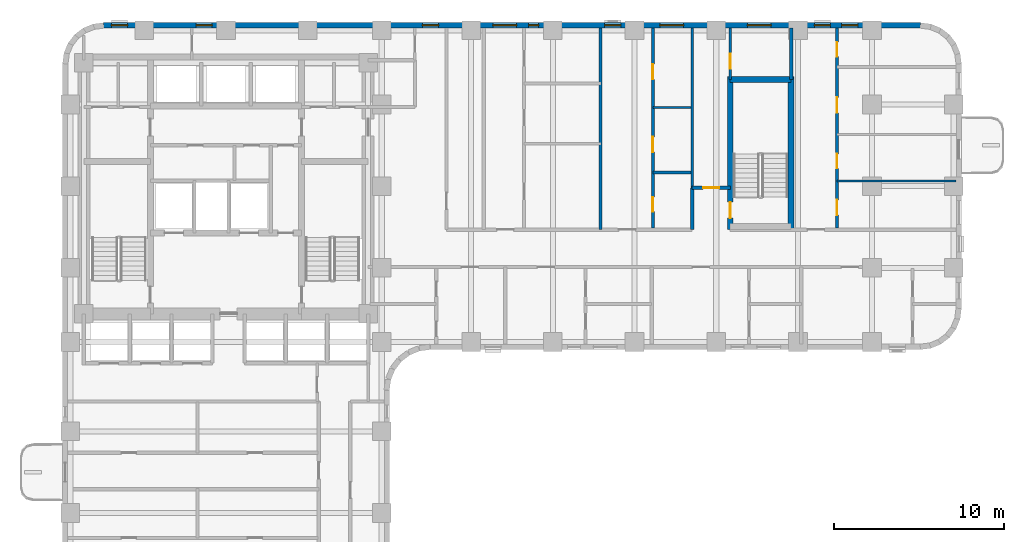
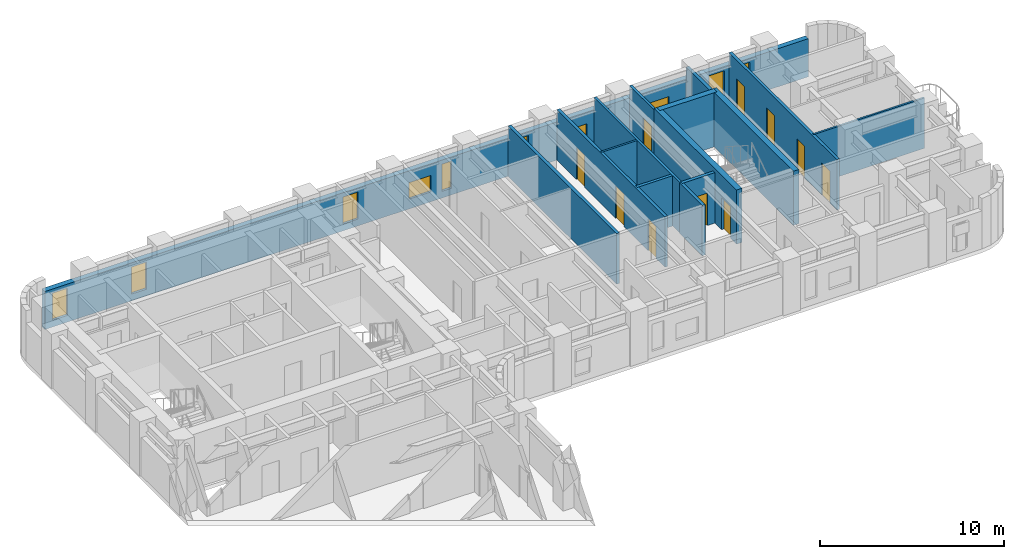
# One storey, part 7 of 11: 15 walls, 10 doors, 10 windows, 20 openings.
"""IFC4 building model written with IfcOpenShell, lengths in metres."""

from ifc_helpers import new_model, si_unit, direction, frame, frame_2d, origin, place, context, subcontext, project, spatial, rectangle, extrude, material, layer, layer_set, type_object, element, fill, save


model = new_model("IFC4")

# Units and contexts
model_context = context("Model", 3, precision=1e-05, world=origin(), true_north=direction((0.0, 1.0)))
body_context = subcontext(model_context, "Body", "Model", "MODEL_VIEW")
ifc_project = project(units=[si_unit("LENGTHUNIT", "METRE"), si_unit("AREAUNIT", "SQUARE_METRE"), si_unit("VOLUMEUNIT", "CUBIC_METRE"), si_unit("PLANEANGLEUNIT", "RADIAN"), si_unit("MASSUNIT", "GRAM", prefix="KILO")], contexts=[model_context])

# Site, building, storey
site_placement = place(None, origin())
site = spatial("IfcSite", under=ifc_project, at=site_placement, CompositionType="ELEMENT")
building_placement = place(site_placement, origin())
building = spatial("IfcBuilding", under=site, at=building_placement, Name="Orvandelia Arch Residences", CompositionType="ELEMENT")
storey_placement = place(building_placement, frame((0.0, 0.0, 86.199951171875)))
storey = spatial("IfcBuildingStorey", under=building, at=storey_placement, Name="L22", CompositionType="ELEMENT", Elevation=86.199951171875)

# Wall, opening, door
ifc_material_1 = material(Name="Concrete C50/60", Category="concrete")
ifc_layer_1 = layer(ifc_material_1, 0.35009765625, Name="Concrete C50/60", Category="concrete")
ifc_layer_set_1 = layer_set([ifc_layer_1], Name="Concrete C50/60")
wall_type_1 = type_object("IfcWallType", Name="WL-CORE-350", PredefinedType="SHEAR", material=ifc_layer_set_1)
wall_1_placement = place(storey_placement, frame((44.02001953125, 35.864990234375, 0.0), z_axis=(0.0, 0.0, 1.0), x_axis=(0.0, 1.0, 0.0)))
wall_1 = element("IfcWall", 1, at=wall_1_placement, inside=storey, type_object=wall_type_1, Name="East Stair Core Shear Wall L22-W", PredefinedType="SHEAR", context=body_context, shape_type="SweptSolid", body=[
    extrude(rectangle(XDim=8.969970703125, YDim=0.35009765625, at=frame_2d((4.48486328125, 0.0))), origin(), (0.0, 0.0, 1.0), 3.60009765625),
])
opening_1_placement = place(wall_1_placement, frame((0.64990234375, 0.0, 0.0)))
opening_1 = element("IfcOpeningElement", 2, at=opening_1_placement, cuts=wall_1, Name="Opening D7", PredefinedType="OPENING", context=body_context, shape_type="SweptSolid", body=[
    extrude(rectangle(XDim=0.949951171875, YDim=2.10009765625, at=frame_2d((0.47509765625, 1.050048828125))), frame((0.0, 0.18505859375, 0.0), z_axis=(0.0, -1.0, 0.0), x_axis=(1.0, 0.0, 0.0)), (0.0, 0.0, 1.0), 0.3701171875),
])
ifc_material_2 = material(Name="Pressurised Stairwell Fire Door")
door_type_1 = type_object("IfcDoorType", Name="DR-STAIR-950", OperationType="NOTDEFINED", PredefinedType="DOOR", material=ifc_material_2)
door_1_placement = place(opening_1_placement, origin())
door_1 = element("IfcDoor", 3, at=door_1_placement, inside=storey, type_object=door_type_1, Name="East Stairwell ST-3 Fire Door L22", OperationType="SINGLE_SWING_LEFT", OverallHeight=2.10009765625, OverallWidth=0.949951171875, PredefinedType="DOOR", context=body_context, shape_type="SweptSolid", body=[
    extrude(rectangle(XDim=0.949951171875, YDim=2.10009765625, at=frame_2d((0.47509765625, 1.050048828125))), frame((0.0, 0.02490234375, 0.0), z_axis=(0.0, -1.0, 0.0), x_axis=(1.0, 0.0, 0.0)), (0.0, 0.0, 1.0), 0.050048828125),
])
fill(opening_1, door_1)

# Walls
wall_2_placement = place(storey_placement, frame((47.60009765625, 35.864990234375, 0.0), z_axis=(0.0, 0.0, 1.0), x_axis=(0.0, 1.0, 0.0)))
element("IfcWall", 4, at=wall_2_placement, inside=storey, type_object=wall_type_1, Name="East Stair Core Shear Wall L22-E", PredefinedType="SHEAR", context=body_context, shape_type="SweptSolid", body=[
    extrude(rectangle(XDim=8.969970703125, YDim=0.35009765625, at=frame_2d((4.48486328125, 0.0))), origin(), (0.0, 0.0, 1.0), 3.60009765625),
])
wall_3_placement = place(storey_placement, frame((44.02001953125, 44.659912109375, 0.0), z_axis=(0.0, 0.0, 1.0), x_axis=(1.0, 0.0, 0.0)))
element("IfcWall", 5, at=wall_3_placement, inside=storey, type_object=wall_type_1, Name="East Stair Core Shear Wall L22-N", PredefinedType="SHEAR", context=body_context, shape_type="SweptSolid", body=[
    extrude(rectangle(XDim=3.580078125, YDim=0.35009765625, at=frame_2d((1.7900390625, 0.0))), origin(), (0.0, 0.0, 1.0), 3.60009765625),
])
ifc_material_3 = material(Name="Fire-Rated Corridor Partition")
ifc_layer_2 = layer(ifc_material_3, 0.199951171875, Name="Fire-Rated Corridor Partition")
ifc_layer_set_2 = layer_set([ifc_layer_2], Name="Fire-Rated Corridor Partition")
wall_type_2 = type_object("IfcWallType", Name="WL-CORR-200", PredefinedType="PARTITIONING", material=ifc_layer_set_2)
wall_4_placement = place(storey_placement, frame((41.780029296875, 35.85009765625, 0.0), z_axis=(0.0, 0.0, 1.0), x_axis=(0.0, 1.0, 0.0)))
element("IfcWall", 6, at=wall_4_placement, inside=storey, type_object=wall_type_2, Name="Interior Partition Wall WL-L22-ES-SW", PredefinedType="PARTITIONING", context=body_context, shape_type="SweptSolid", body=[
    extrude(rectangle(XDim=2.449951171875, YDim=0.199951171875, at=frame_2d((1.22509765625, 0.0))), origin(), (0.0, 0.0, 1.0), 3.35009765625),
])

# Wall, opening, door
wall_5_placement = place(storey_placement, frame((41.780029296875, 38.300048828125, 0.0), z_axis=(0.0, 0.0, 1.0), x_axis=(1.0, 0.0, 0.0)))
wall_5 = element("IfcWall", 7, at=wall_5_placement, inside=storey, type_object=wall_type_2, Name="Interior Partition Wall WL-L22-ES-SN", PredefinedType="PARTITIONING", context=body_context, shape_type="SweptSolid", body=[
    extrude(rectangle(XDim=2.239990234375, YDim=0.199951171875, at=frame_2d((1.1201171875, 0.0))), origin(), (0.0, 0.0, 1.0), 3.35009765625),
])
opening_2_placement = place(wall_5_placement, frame((0.64990234375, 0.0, 0.0)))
opening_2 = element("IfcOpeningElement", 8, at=opening_2_placement, cuts=wall_5, Name="Opening D2", PredefinedType="OPENING", context=body_context, shape_type="SweptSolid", body=[
    extrude(rectangle(XDim=0.949951171875, YDim=2.14990234375, at=frame_2d((0.47509765625, 1.074951171875))), frame((0.0, 0.10986328125, 0.0), z_axis=(0.0, -1.0, 0.0), x_axis=(1.0, 0.0, 0.0)), (0.0, 0.0, 1.0), 0.219970703125),
])
ifc_material_4 = material(Name="Solid-Core Timber Interior Fire Door", Category="wood")
door_type_2 = type_object("IfcDoorType", Name="DR-APT-950", OperationType="NOTDEFINED", PredefinedType="DOOR", material=ifc_material_4)
door_2_placement = place(opening_2_placement, origin())
door_2 = element("IfcDoor", 9, at=door_2_placement, inside=storey, type_object=door_type_2, Name="DR-L22-ESSPK", OperationType="SINGLE_SWING_LEFT", OverallHeight=2.14990234375, OverallWidth=0.949951171875, PredefinedType="DOOR", context=body_context, shape_type="SweptSolid", body=[
    extrude(rectangle(XDim=0.949951171875, YDim=2.14990234375, at=frame_2d((0.47509765625, 1.074951171875))), frame((0.0, 0.02490234375, 0.0), z_axis=(0.0, -1.0, 0.0), x_axis=(1.0, 0.0, 0.0)), (0.0, 0.0, 1.0), 0.050048828125),
])
fill(opening_2, door_2)

# Walls
ifc_material_5 = material(Name="Concrete C40/50", Category="concrete")
ifc_layer_3 = layer(ifc_material_5, 0.199951171875, Name="Concrete C40/50", Category="concrete")
ifc_layer_set_3 = layer_set([ifc_layer_3], Name="Concrete C40/50")
wall_type_3 = type_object("IfcWallType", Name="WL-DEM-200", PredefinedType="SOLIDWALL", material=ifc_layer_set_3)
wall_6_placement = place(storey_placement, frame((36.39990234375, 35.85009765625, 0.0), z_axis=(0.0, 0.0, 1.0), x_axis=(0.0, 1.0, 0.0)))
element("IfcWall", 10, at=wall_6_placement, inside=storey, type_object=wall_type_3, Name="Interior Partition Wall WL-L22-DEM-ESN-364", PredefinedType="SOLIDWALL", context=body_context, shape_type="SweptSolid", body=[
    extrude(rectangle(XDim=11.829833984375, YDim=0.199951171875, at=frame_2d((5.9150390625, 0.0))), origin(), (0.0, 0.0, 1.0), 3.35009765625),
])
wall_7_placement = place(storey_placement, frame((47.60009765625, 44.659912109375, 0.0), z_axis=(0.0, 0.0, 1.0), x_axis=(0.0, 1.0, 0.0)))
element("IfcWall", 11, at=wall_7_placement, inside=storey, type_object=wall_type_3, Name="Interior Partition Wall WL-L22-ES-NST3E", PredefinedType="SOLIDWALL", context=body_context, shape_type="SweptSolid", body=[
    extrude(rectangle(XDim=3.02001953125, YDim=0.199951171875, at=frame_2d((1.510009765625, 0.0))), origin(), (0.0, 0.0, 1.0), 3.35009765625),
])

# Wall, openings, windows
ifc_material_6 = material(Name="Precast concrete C40/50", Category="concrete")
ifc_layer_4 = layer(ifc_material_6, 0.320068359375, Name="Precast concrete C40/50", Category="concrete")
ifc_layer_set_4 = layer_set([ifc_layer_4], Name="Precast concrete C40/50")
wall_type_4 = type_object("IfcWallType", Name="WL-EXT-STONE-320", PredefinedType="STANDARD", material=ifc_layer_set_4)
wall_8_placement = place(storey_placement, frame((7.199951171875, 47.840087890625, 0.0), z_axis=(0.0, 0.0, 1.0), x_axis=(1.0, 0.0, 0.0)))
wall_8 = element("IfcWall", 12, at=wall_8_placement, inside=storey, type_object=wall_type_4, Name="Coral-Limestone Precast Facade Wall L22-007", PredefinedType="STANDARD", context=body_context, shape_type="SweptSolid", body=[
    extrude(rectangle(XDim=48.0, YDim=0.320068359375, at=frame_2d((24.0, 0.0))), origin(), (0.0, 0.0, 1.0), 2.530029296875),
])
opening_3_placement = place(wall_8_placement, frame((22.8701171875, 0.0, 0.64990234375)))
opening_3 = element("IfcOpeningElement", 13, at=opening_3_placement, cuts=wall_8, Name="Opening W10", PredefinedType="OPENING", context=body_context, shape_type="SweptSolid", body=[
    extrude(rectangle(XDim=1.39990234375, YDim=1.10009765625, at=frame_2d((0.699951171875, 0.550048828125))), frame((0.0, 0.169921875, 0.0), z_axis=(0.0, -1.0, 0.0), x_axis=(1.0, 0.0, 0.0)), (0.0, 0.0, 1.0), 0.340087890625),
])
opening_4_placement = place(wall_8_placement, frame((32.68505859375, 0.0, 0.64990234375)))
opening_4 = element("IfcOpeningElement", 14, at=opening_4_placement, cuts=wall_8, Name="Opening W10", PredefinedType="OPENING", context=body_context, shape_type="SweptSolid", body=[
    extrude(rectangle(XDim=1.39990234375, YDim=1.10009765625, at=frame_2d((0.699951171875, 0.550048828125))), frame((0.0, 0.169921875, 0.0), z_axis=(0.0, -1.0, 0.0), x_axis=(1.0, 0.0, 0.0)), (0.0, 0.0, 1.0), 0.340087890625),
])
opening_5_placement = place(wall_8_placement, frame((41.755615234375, 0.0, 0.449951171875)))
opening_5 = element("IfcOpeningElement", 15, at=opening_5_placement, cuts=wall_8, Name="Opening W4", PredefinedType="OPENING", context=body_context, shape_type="SweptSolid", body=[
    extrude(rectangle(XDim=0.949951171875, YDim=1.800048828125, at=frame_2d((0.47509765625, 0.89990234375))), frame((0.0, 0.169921875, 0.0), z_axis=(0.0, -1.0, 0.0), x_axis=(1.0, 0.0, 0.0)), (0.0, 0.0, 1.0), 0.340087890625),
])
opening_6_placement = place(wall_8_placement, frame((18.739990234375, 0.0, 0.449951171875)))
opening_6 = element("IfcOpeningElement", 16, at=opening_6_placement, cuts=wall_8, Name="Opening W4", PredefinedType="OPENING", context=body_context, shape_type="SweptSolid", body=[
    extrude(rectangle(XDim=0.949951171875, YDim=1.800048828125, at=frame_2d((0.47509765625, 0.89990234375))), frame((0.0, 0.169921875, 0.0), z_axis=(0.0, -1.0, 0.0), x_axis=(1.0, 0.0, 0.0)), (0.0, 0.0, 1.0), 0.340087890625),
])
opening_7_placement = place(wall_8_placement, frame((37.824951171875, 0.0, 0.64990234375)))
opening_7 = element("IfcOpeningElement", 17, at=opening_7_placement, cuts=wall_8, Name="Opening W10", PredefinedType="OPENING", context=body_context, shape_type="SweptSolid", body=[
    extrude(rectangle(XDim=1.39990234375, YDim=1.10009765625, at=frame_2d((0.699951171875, 0.550048828125))), frame((0.0, 0.169921875, 0.0), z_axis=(0.0, -1.0, 0.0), x_axis=(1.0, 0.0, 0.0)), (0.0, 0.0, 1.0), 0.340087890625),
])
opening_8_placement = place(wall_8_placement, frame((0.469970703125, 0.0, 0.449951171875)))
opening_8 = element("IfcOpeningElement", 18, at=opening_8_placement, cuts=wall_8, Name="Opening W4", PredefinedType="OPENING", context=body_context, shape_type="SweptSolid", body=[
    extrude(rectangle(XDim=0.949951171875, YDim=1.800048828125, at=frame_2d((0.47509765625, 0.89990234375))), frame((0.0, 0.169921875, 0.0), z_axis=(0.0, -1.0, 0.0), x_axis=(1.0, 0.0, 0.0)), (0.0, 0.0, 1.0), 0.340087890625),
])
opening_9_placement = place(wall_8_placement, frame((5.43994140625, 0.0, 0.449951171875)))
opening_9 = element("IfcOpeningElement", 19, at=opening_9_placement, cuts=wall_8, Name="Opening W4", PredefinedType="OPENING", context=body_context, shape_type="SweptSolid", body=[
    extrude(rectangle(XDim=0.949951171875, YDim=1.800048828125, at=frame_2d((0.47509765625, 0.89990234375))), frame((0.0, 0.169921875, 0.0), z_axis=(0.0, -1.0, 0.0), x_axis=(1.0, 0.0, 0.0)), (0.0, 0.0, 1.0), 0.340087890625),
])
opening_10_placement = place(wall_8_placement, frame((24.969970703125, 0.0, 0.449951171875)))
opening_10 = element("IfcOpeningElement", 20, at=opening_10_placement, cuts=wall_8, Name="Opening W12", PredefinedType="OPENING", context=body_context, shape_type="SweptSolid", body=[
    extrude(rectangle(XDim=0.60009765625, YDim=1.800048828125, at=frame_2d((0.300048828125, 0.89990234375))), frame((0.0, 0.169921875, 0.0), z_axis=(0.0, -1.0, 0.0), x_axis=(1.0, 0.0, 0.0)), (0.0, 0.0, 1.0), 0.340087890625),
])
opening_11_placement = place(wall_8_placement, frame((29.43994140625, 0.0, 0.449951171875)))
opening_11 = element("IfcOpeningElement", 21, at=opening_11_placement, cuts=wall_8, Name="Opening W4", PredefinedType="OPENING", context=body_context, shape_type="SweptSolid", body=[
    extrude(rectangle(XDim=0.949951171875, YDim=1.800048828125, at=frame_2d((0.47509765625, 0.89990234375))), frame((0.0, 0.169921875, 0.0), z_axis=(0.0, -1.0, 0.0), x_axis=(1.0, 0.0, 0.0)), (0.0, 0.0, 1.0), 0.340087890625),
])
opening_12_placement = place(wall_8_placement, frame((43.360595703125, 0.0, 0.449951171875)))
opening_12 = element("IfcOpeningElement", 22, at=opening_12_placement, cuts=wall_8, Name="Opening W4", PredefinedType="OPENING", context=body_context, shape_type="SweptSolid", body=[
    extrude(rectangle(XDim=0.949951171875, YDim=1.800048828125, at=frame_2d((0.47509765625, 0.89990234375))), frame((0.0, 0.169921875, 0.0), z_axis=(0.0, -1.0, 0.0), x_axis=(1.0, 0.0, 0.0)), (0.0, 0.0, 1.0), 0.340087890625),
])
ifc_material_7 = material(Name="Tempered Low-E Insulated Glazing", Category="glass")
window_type_1 = type_object("IfcWindowType", Name="WIN-CLR-1400x1100", PartitioningType="SINGLE_PANEL", PredefinedType="WINDOW", material=ifc_material_7)
window_1_placement = place(opening_3_placement, origin())
window_1 = element("IfcWindow", 23, at=window_1_placement, inside=storey, type_object=window_type_1, Name="Recessed Punched Window L22-001", OverallHeight=1.10009765625, OverallWidth=1.39990234375, PartitioningType="SINGLE_PANEL", PredefinedType="WINDOW", context=body_context, shape_type="SweptSolid", body=[
    extrude(rectangle(XDim=1.39990234375, YDim=1.10009765625, at=frame_2d((0.699951171875, 0.550048828125))), frame((0.0, 0.030029296875, 0.0), z_axis=(0.0, -1.0, 0.0), x_axis=(1.0, 0.0, 0.0)), (0.0, 0.0, 1.0), 0.06005859375),
])
fill(opening_3, window_1)
window_2_placement = place(opening_4_placement, origin())
window_2 = element("IfcWindow", 24, at=window_2_placement, inside=storey, type_object=window_type_1, Name="Recessed Punched Window L22-002", OverallHeight=1.10009765625, OverallWidth=1.39990234375, PartitioningType="SINGLE_PANEL", PredefinedType="WINDOW", context=body_context, shape_type="SweptSolid", body=[
    extrude(rectangle(XDim=1.39990234375, YDim=1.10009765625, at=frame_2d((0.699951171875, 0.550048828125))), frame((0.0, 0.030029296875, 0.0), z_axis=(0.0, -1.0, 0.0), x_axis=(1.0, 0.0, 0.0)), (0.0, 0.0, 1.0), 0.06005859375),
])
fill(opening_4, window_2)
window_3_placement = place(opening_7_placement, origin())
window_3 = element("IfcWindow", 25, at=window_3_placement, inside=storey, type_object=window_type_1, Name="Recessed Punched Window L22-005", OverallHeight=1.10009765625, OverallWidth=1.39990234375, PartitioningType="SINGLE_PANEL", PredefinedType="WINDOW", context=body_context, shape_type="SweptSolid", body=[
    extrude(rectangle(XDim=1.39990234375, YDim=1.10009765625, at=frame_2d((0.699951171875, 0.550048828125))), frame((0.0, 0.030029296875, 0.0), z_axis=(0.0, -1.0, 0.0), x_axis=(1.0, 0.0, 0.0)), (0.0, 0.0, 1.0), 0.06005859375),
])
fill(opening_7, window_3)
window_type_2 = type_object("IfcWindowType", Name="WIN-LAN-0600x1800", PartitioningType="SINGLE_PANEL", PredefinedType="WINDOW", material=ifc_material_7)
window_4_placement = place(opening_10_placement, origin())
window_4 = element("IfcWindow", 26, at=window_4_placement, inside=storey, type_object=window_type_2, Name="Recessed Punched Window L22-008", OverallHeight=1.800048828125, OverallWidth=0.60009765625, PartitioningType="SINGLE_PANEL", PredefinedType="WINDOW", context=body_context, shape_type="SweptSolid", body=[
    extrude(rectangle(XDim=0.60009765625, YDim=1.800048828125, at=frame_2d((0.300048828125, 0.89990234375))), frame((0.0, 0.030029296875, 0.0), z_axis=(0.0, -1.0, 0.0), x_axis=(1.0, 0.0, 0.0)), (0.0, 0.0, 1.0), 0.06005859375),
])
fill(opening_10, window_4)
window_type_3 = type_object("IfcWindowType", Name="WIN-RES-0950x1800", PartitioningType="SINGLE_PANEL", PredefinedType="WINDOW", material=ifc_material_7)
window_5_placement = place(opening_5_placement, origin())
window_5 = element("IfcWindow", 27, at=window_5_placement, inside=storey, type_object=window_type_3, Name="Recessed Punched Window L22-003", OverallHeight=1.800048828125, OverallWidth=0.949951171875, PartitioningType="SINGLE_PANEL", PredefinedType="WINDOW", context=body_context, shape_type="SweptSolid", body=[
    extrude(rectangle(XDim=0.949951171875, YDim=1.800048828125, at=frame_2d((0.47509765625, 0.89990234375))), frame((0.0, 0.030029296875, 0.0), z_axis=(0.0, -1.0, 0.0), x_axis=(1.0, 0.0, 0.0)), (0.0, 0.0, 1.0), 0.06005859375),
])
fill(opening_5, window_5)
window_6_placement = place(opening_6_placement, origin())
window_6 = element("IfcWindow", 28, at=window_6_placement, inside=storey, type_object=window_type_3, Name="Recessed Punched Window L22-004", OverallHeight=1.800048828125, OverallWidth=0.949951171875, PartitioningType="SINGLE_PANEL", PredefinedType="WINDOW", context=body_context, shape_type="SweptSolid", body=[
    extrude(rectangle(XDim=0.949951171875, YDim=1.800048828125, at=frame_2d((0.47509765625, 0.89990234375))), frame((0.0, 0.030029296875, 0.0), z_axis=(0.0, -1.0, 0.0), x_axis=(1.0, 0.0, 0.0)), (0.0, 0.0, 1.0), 0.06005859375),
])
fill(opening_6, window_6)
window_7_placement = place(opening_8_placement, origin())
window_7 = element("IfcWindow", 29, at=window_7_placement, inside=storey, type_object=window_type_3, Name="Recessed Punched Window L22-006", OverallHeight=1.800048828125, OverallWidth=0.949951171875, PartitioningType="SINGLE_PANEL", PredefinedType="WINDOW", context=body_context, shape_type="SweptSolid", body=[
    extrude(rectangle(XDim=0.949951171875, YDim=1.800048828125, at=frame_2d((0.47509765625, 0.89990234375))), frame((0.0, 0.030029296875, 0.0), z_axis=(0.0, -1.0, 0.0), x_axis=(1.0, 0.0, 0.0)), (0.0, 0.0, 1.0), 0.06005859375),
])
fill(opening_8, window_7)
window_8_placement = place(opening_9_placement, origin())
window_8 = element("IfcWindow", 30, at=window_8_placement, inside=storey, type_object=window_type_3, Name="Recessed Punched Window L22-007", OverallHeight=1.800048828125, OverallWidth=0.949951171875, PartitioningType="SINGLE_PANEL", PredefinedType="WINDOW", context=body_context, shape_type="SweptSolid", body=[
    extrude(rectangle(XDim=0.949951171875, YDim=1.800048828125, at=frame_2d((0.47509765625, 0.89990234375))), frame((0.0, 0.030029296875, 0.0), z_axis=(0.0, -1.0, 0.0), x_axis=(1.0, 0.0, 0.0)), (0.0, 0.0, 1.0), 0.06005859375),
])
fill(opening_9, window_8)
window_9_placement = place(opening_11_placement, origin())
window_9 = element("IfcWindow", 31, at=window_9_placement, inside=storey, type_object=window_type_3, Name="Recessed Punched Window L22-009", OverallHeight=1.800048828125, OverallWidth=0.949951171875, PartitioningType="SINGLE_PANEL", PredefinedType="WINDOW", context=body_context, shape_type="SweptSolid", body=[
    extrude(rectangle(XDim=0.949951171875, YDim=1.800048828125, at=frame_2d((0.47509765625, 0.89990234375))), frame((0.0, 0.030029296875, 0.0), z_axis=(0.0, -1.0, 0.0), x_axis=(1.0, 0.0, 0.0)), (0.0, 0.0, 1.0), 0.06005859375),
])
fill(opening_11, window_9)
window_10_placement = place(opening_12_placement, origin())
window_10 = element("IfcWindow", 32, at=window_10_placement, inside=storey, type_object=window_type_3, Name="Recessed Punched Window L22-010", OverallHeight=1.800048828125, OverallWidth=0.949951171875, PartitioningType="SINGLE_PANEL", PredefinedType="WINDOW", context=body_context, shape_type="SweptSolid", body=[
    extrude(rectangle(XDim=0.949951171875, YDim=1.800048828125, at=frame_2d((0.47509765625, 0.89990234375))), frame((0.0, 0.030029296875, 0.0), z_axis=(0.0, -1.0, 0.0), x_axis=(1.0, 0.0, 0.0)), (0.0, 0.0, 1.0), 0.06005859375),
])
fill(opening_12, window_10)

# Walls
ifc_material_8 = material(Name="Lightweight Gypsum Stud Partition")
ifc_layer_5 = layer(ifc_material_8, 0.1201171875, Name="Lightweight Gypsum Stud Partition")
ifc_layer_set_5 = layer_set([ifc_layer_5], Name="Lightweight Gypsum Stud Partition")
wall_type_5 = type_object("IfcWallType", Name="WL-PART-120", PredefinedType="PARTITIONING", material=ifc_layer_set_5)
wall_9_placement = place(storey_placement, frame((39.469970703125, 43.01611328125, 0.0), z_axis=(0.0, 0.0, 1.0), x_axis=(1.0, 0.0, 0.0)))
element("IfcWall", 33, at=wall_9_placement, inside=storey, type_object=wall_type_5, Name="Interior Partition Wall WL-L22-U10-H2", PredefinedType="PARTITIONING", context=body_context, shape_type="SweptSolid", body=[
    extrude(rectangle(XDim=2.22998046875, YDim=0.1201171875, at=frame_2d((1.114990234375, 0.0))), origin(), (0.0, 0.0, 1.0), 3.35009765625),
])
wall_10_placement = place(storey_placement, frame((50.291015625, 38.697998046875, 0.0), z_axis=(0.0, 0.0, 1.0), x_axis=(1.0, 0.0, 0.0)))
element("IfcWall", 34, at=wall_10_placement, inside=storey, type_object=wall_type_5, Name="Interior Partition Wall WL-L22-U11-H0", PredefinedType="PARTITIONING", context=body_context, shape_type="SweptSolid", body=[
    extrude(rectangle(XDim=6.989013671875, YDim=0.1201171875, at=frame_2d((3.49462890625, 0.0))), origin(), (0.0, 0.0, 1.0), 3.35009765625),
])
ifc_material_9 = material(Name="Acoustic Gypsum Stud Partition")
ifc_layer_6 = layer(ifc_material_9, 0.14990234375, Name="Acoustic Gypsum Stud Partition")
ifc_layer_set_6 = layer_set([ifc_layer_6], Name="Acoustic Gypsum Stud Partition")
wall_type_6 = type_object("IfcWallType", Name="WL-PART-150", PredefinedType="PARTITIONING", material=ifc_layer_set_6)
wall_11_placement = place(storey_placement, frame((41.780029296875, 38.300048828125, 0.0), z_axis=(0.0, 0.0, 1.0), x_axis=(0.0, 1.0, 0.0)))
element("IfcWall", 35, at=wall_11_placement, inside=storey, type_object=wall_type_6, Name="Interior Partition Wall WL-L22-ES-SPKW", PredefinedType="PARTITIONING", context=body_context, shape_type="SweptSolid", body=[
    extrude(rectangle(XDim=9.3798828125, YDim=0.14990234375, at=frame_2d((4.68994140625, 0.0))), origin(), (0.0, 0.0, 1.0), 3.35009765625),
])

# Wall, opening, door
wall_12_placement = place(storey_placement, frame((44.02001953125, 44.659912109375, 0.0), z_axis=(0.0, 0.0, 1.0), x_axis=(0.0, 1.0, 0.0)))
wall_12 = element("IfcWall", 36, at=wall_12_placement, inside=storey, type_object=wall_type_6, Name="Interior Partition Wall WL-L22-ES-NST3W", PredefinedType="PARTITIONING", context=body_context, shape_type="SweptSolid", body=[
    extrude(rectangle(XDim=3.02001953125, YDim=0.14990234375, at=frame_2d((1.510009765625, 0.0))), origin(), (0.0, 0.0, 1.0), 3.35009765625),
])
opening_13_placement = place(wall_12_placement, frame((0.64990234375, 0.0, 0.0)))
opening_13 = element("IfcOpeningElement", 37, at=opening_13_placement, cuts=wall_12, Name="Opening D5", PredefinedType="OPENING", context=body_context, shape_type="SweptSolid", body=[
    extrude(rectangle(XDim=0.8798828125, YDim=2.10009765625, at=frame_2d((0.43994140625, 1.050048828125))), frame((0.0, 0.0849609375, 0.0), z_axis=(0.0, -1.0, 0.0), x_axis=(1.0, 0.0, 0.0)), (0.0, 0.0, 1.0), 0.169921875),
])
ifc_material_10 = material(Name="Painted Galvanised Steel Service Door", Category="steel")
door_type_3 = type_object("IfcDoorType", Name="DR-SRV-880", OperationType="NOTDEFINED", PredefinedType="DOOR", material=ifc_material_10)
door_3_placement = place(opening_13_placement, origin())
door_3 = element("IfcDoor", 38, at=door_3_placement, inside=storey, type_object=door_type_3, Name="DR-L22-ESNST3", OperationType="SINGLE_SWING_RIGHT", OverallHeight=2.10009765625, OverallWidth=0.8798828125, PredefinedType="DOOR", context=body_context, shape_type="SweptSolid", body=[
    extrude(rectangle(XDim=0.8798828125, YDim=2.10009765625, at=frame_2d((0.43994140625, 1.050048828125))), frame((0.0, 0.02490234375, 0.0), z_axis=(0.0, -1.0, 0.0), x_axis=(1.0, 0.0, 0.0)), (0.0, 0.0, 1.0), 0.050048828125),
])
fill(opening_13, door_3)

# Wall, openings, doors
ifc_material_11 = material(Name="Moisture-Resistant Plumbing Wall")
ifc_layer_7 = layer(ifc_material_11, 0.179931640625, Name="Moisture-Resistant Plumbing Wall")
ifc_layer_set_7 = layer_set([ifc_layer_7], Name="Moisture-Resistant Plumbing Wall")
wall_type_7 = type_object("IfcWallType", Name="WL-WET-180", PredefinedType="PLUMBINGWALL", material=ifc_layer_set_7)
wall_13_placement = place(storey_placement, frame((39.469970703125, 35.929931640625, 0.0), z_axis=(0.0, 0.0, 1.0), x_axis=(0.0, 1.0, 0.0)))
wall_13 = element("IfcWall", 39, at=wall_13_placement, inside=storey, type_object=wall_type_7, Name="Interior Partition Wall WL-L22-U10-VT", PredefinedType="PLUMBINGWALL", context=body_context, shape_type="SweptSolid", body=[
    extrude(rectangle(XDim=11.75, YDim=0.179931640625, at=frame_2d((5.875, 0.0))), origin(), (0.0, 0.0, 1.0), 3.35009765625),
])
opening_14_placement = place(wall_13_placement, frame((0.971923828125, 0.0, 0.0)))
opening_14 = element("IfcOpeningElement", 40, at=opening_14_placement, cuts=wall_13, Name="Opening D4", PredefinedType="OPENING", context=body_context, shape_type="SweptSolid", body=[
    extrude(rectangle(XDim=0.860107421875, YDim=2.10009765625, at=frame_2d((0.43017578125, 1.050048828125))), frame((0.0, 0.10009765625, 0.0), z_axis=(0.0, -1.0, 0.0), x_axis=(1.0, 0.0, 0.0)), (0.0, 0.0, 1.0), 0.199951171875),
])
opening_15_placement = place(wall_13_placement, frame((4.464111328125, 0.0, 0.0)))
opening_15 = element("IfcOpeningElement", 41, at=opening_15_placement, cuts=wall_13, Name="Opening D3", PredefinedType="OPENING", context=body_context, shape_type="SweptSolid", body=[
    extrude(rectangle(XDim=0.89990234375, YDim=2.14990234375, at=frame_2d((0.449951171875, 1.074951171875))), frame((0.0, 0.10009765625, 0.0), z_axis=(0.0, -1.0, 0.0), x_axis=(1.0, 0.0, 0.0)), (0.0, 0.0, 1.0), 0.199951171875),
])
opening_16_placement = place(wall_13_placement, frame((8.7392578125, 0.0, 0.0)))
opening_16 = element("IfcOpeningElement", 42, at=opening_16_placement, cuts=wall_13, Name="Opening D3", PredefinedType="OPENING", context=body_context, shape_type="SweptSolid", body=[
    extrude(rectangle(XDim=0.89990234375, YDim=2.14990234375, at=frame_2d((0.449951171875, 1.074951171875))), frame((0.0, 0.10009765625, 0.0), z_axis=(0.0, -1.0, 0.0), x_axis=(1.0, 0.0, 0.0)), (0.0, 0.0, 1.0), 0.199951171875),
])
ifc_material_12 = material(Name="Engineered Timber Flush Door", Category="wood")
door_type_4 = type_object("IfcDoorType", Name="DR-INT-900", OperationType="NOTDEFINED", PredefinedType="DOOR", material=ifc_material_12)
door_4_placement = place(opening_15_placement, origin())
door_4 = element("IfcDoor", 43, at=door_4_placement, inside=storey, type_object=door_type_4, Name="DR-L22-U10-KIT", OperationType="SINGLE_SWING_RIGHT", OverallHeight=2.14990234375, OverallWidth=0.89990234375, PredefinedType="DOOR", context=body_context, shape_type="SweptSolid", body=[
    extrude(rectangle(XDim=0.89990234375, YDim=2.14990234375, at=frame_2d((0.449951171875, 1.074951171875))), frame((0.0, 0.02490234375, 0.0), z_axis=(0.0, -1.0, 0.0), x_axis=(1.0, 0.0, 0.0)), (0.0, 0.0, 1.0), 0.050048828125),
])
fill(opening_15, door_4)
door_5_placement = place(opening_16_placement, origin())
door_5 = element("IfcDoor", 44, at=door_5_placement, inside=storey, type_object=door_type_4, Name="DR-L22-U10-BD1", OperationType="SINGLE_SWING_LEFT", OverallHeight=2.14990234375, OverallWidth=0.89990234375, PredefinedType="DOOR", context=body_context, shape_type="SweptSolid", body=[
    extrude(rectangle(XDim=0.89990234375, YDim=2.14990234375, at=frame_2d((0.449951171875, 1.074951171875))), frame((0.0, 0.02490234375, 0.0), z_axis=(0.0, -1.0, 0.0), x_axis=(1.0, 0.0, 0.0)), (0.0, 0.0, 1.0), 0.050048828125),
])
fill(opening_16, door_5)
ifc_material_13 = material(Name="Moisture-Sealed Timber Bathroom Door", Category="wood")
door_type_5 = type_object("IfcDoorType", Name="DR-WET-900", OperationType="NOTDEFINED", PredefinedType="DOOR", material=ifc_material_13)
door_6_placement = place(opening_14_placement, origin())
door_6 = element("IfcDoor", 45, at=door_6_placement, inside=storey, type_object=door_type_5, Name="DR-L22-U10-BTH", OperationType="SINGLE_SWING_LEFT", OverallHeight=2.10009765625, OverallWidth=0.860107421875, PredefinedType="DOOR", context=body_context, shape_type="SweptSolid", body=[
    extrude(rectangle(XDim=0.860107421875, YDim=2.10009765625, at=frame_2d((0.43017578125, 1.050048828125))), frame((0.0, 0.02490234375, 0.0), z_axis=(0.0, -1.0, 0.0), x_axis=(1.0, 0.0, 0.0)), (0.0, 0.0, 1.0), 0.050048828125),
])
fill(opening_14, door_6)

# Wall
wall_14_placement = place(storey_placement, frame((39.469970703125, 39.18994140625, 0.0), z_axis=(0.0, 0.0, 1.0), x_axis=(1.0, 0.0, 0.0)))
element("IfcWall", 46, at=wall_14_placement, inside=storey, type_object=wall_type_7, Name="Interior Partition Wall WL-L22-U10-H1", PredefinedType="PLUMBINGWALL", context=body_context, shape_type="SweptSolid", body=[
    extrude(rectangle(XDim=2.22998046875, YDim=0.179931640625, at=frame_2d((1.114990234375, 0.0))), origin(), (0.0, 0.0, 1.0), 3.35009765625),
])

# Wall, openings, doors
wall_15_placement = place(storey_placement, frame((50.291015625, 35.949951171875, 0.0), z_axis=(0.0, 0.0, 1.0), x_axis=(0.0, 1.0, 0.0)))
wall_15 = element("IfcWall", 47, at=wall_15_placement, inside=storey, type_object=wall_type_7, Name="Interior Partition Wall WL-L22-U11-VT", PredefinedType="PLUMBINGWALL", context=body_context, shape_type="SweptSolid", body=[
    extrude(rectangle(XDim=11.72998046875, YDim=0.179931640625, at=frame_2d((5.864990234375, 0.0))), origin(), (0.0, 0.0, 1.0), 3.35009765625),
])
opening_17_placement = place(wall_15_placement, frame((0.74169921875, 0.0, 0.0)))
opening_17 = element("IfcOpeningElement", 48, at=opening_17_placement, cuts=wall_15, Name="Opening D3", PredefinedType="OPENING", context=body_context, shape_type="SweptSolid", body=[
    extrude(rectangle(XDim=0.89990234375, YDim=2.14990234375, at=frame_2d((0.449951171875, 1.074951171875))), frame((0.0, 0.10009765625, 0.0), z_axis=(0.0, -1.0, 0.0), x_axis=(1.0, 0.0, 0.0)), (0.0, 0.0, 1.0), 0.199951171875),
])
opening_18_placement = place(wall_15_placement, frame((3.489013671875, 0.0, 0.0)))
opening_18 = element("IfcOpeningElement", 49, at=opening_18_placement, cuts=wall_15, Name="Opening D4", PredefinedType="OPENING", context=body_context, shape_type="SweptSolid", body=[
    extrude(rectangle(XDim=0.860107421875, YDim=2.10009765625, at=frame_2d((0.43017578125, 1.050048828125))), frame((0.0, 0.10009765625, 0.0), z_axis=(0.0, -1.0, 0.0), x_axis=(1.0, 0.0, 0.0)), (0.0, 0.0, 1.0), 0.199951171875),
])
opening_19_placement = place(wall_15_placement, frame((6.760009765625, 0.0, 0.0)))
opening_19 = element("IfcOpeningElement", 50, at=opening_19_placement, cuts=wall_15, Name="Opening D3", PredefinedType="OPENING", context=body_context, shape_type="SweptSolid", body=[
    extrude(rectangle(XDim=0.89990234375, YDim=2.14990234375, at=frame_2d((0.449951171875, 1.074951171875))), frame((0.0, 0.10009765625, 0.0), z_axis=(0.0, -1.0, 0.0), x_axis=(1.0, 0.0, 0.0)), (0.0, 0.0, 1.0), 0.199951171875),
])
opening_20_placement = place(wall_15_placement, frame((10.056396484375, 0.0, 0.0)))
opening_20 = element("IfcOpeningElement", 51, at=opening_20_placement, cuts=wall_15, Name="Opening D4", PredefinedType="OPENING", context=body_context, shape_type="SweptSolid", body=[
    extrude(rectangle(XDim=0.860107421875, YDim=2.10009765625, at=frame_2d((0.43017578125, 1.050048828125))), frame((0.0, 0.10009765625, 0.0), z_axis=(0.0, -1.0, 0.0), x_axis=(1.0, 0.0, 0.0)), (0.0, 0.0, 1.0), 0.199951171875),
])
door_7_placement = place(opening_17_placement, origin())
door_7 = element("IfcDoor", 52, at=door_7_placement, inside=storey, type_object=door_type_4, Name="DR-L22-U11-BD2", OperationType="SINGLE_SWING_RIGHT", OverallHeight=2.14990234375, OverallWidth=0.89990234375, PredefinedType="DOOR", context=body_context, shape_type="SweptSolid", body=[
    extrude(rectangle(XDim=0.89990234375, YDim=2.14990234375, at=frame_2d((0.449951171875, 1.074951171875))), frame((0.0, 0.02490234375, 0.0), z_axis=(0.0, -1.0, 0.0), x_axis=(1.0, 0.0, 0.0)), (0.0, 0.0, 1.0), 0.050048828125),
])
fill(opening_17, door_7)
door_8_placement = place(opening_19_placement, origin())
door_8 = element("IfcDoor", 53, at=door_8_placement, inside=storey, type_object=door_type_4, Name="DR-L22-U11-KIT", OperationType="SINGLE_SWING_RIGHT", OverallHeight=2.14990234375, OverallWidth=0.89990234375, PredefinedType="DOOR", context=body_context, shape_type="SweptSolid", body=[
    extrude(rectangle(XDim=0.89990234375, YDim=2.14990234375, at=frame_2d((0.449951171875, 1.074951171875))), frame((0.0, 0.02490234375, 0.0), z_axis=(0.0, -1.0, 0.0), x_axis=(1.0, 0.0, 0.0)), (0.0, 0.0, 1.0), 0.050048828125),
])
fill(opening_19, door_8)
door_9_placement = place(opening_18_placement, origin())
door_9 = element("IfcDoor", 54, at=door_9_placement, inside=storey, type_object=door_type_5, Name="DR-L22-U11-STDY", OperationType="SINGLE_SWING_LEFT", OverallHeight=2.10009765625, OverallWidth=0.860107421875, PredefinedType="DOOR", context=body_context, shape_type="SweptSolid", body=[
    extrude(rectangle(XDim=0.860107421875, YDim=2.10009765625, at=frame_2d((0.43017578125, 1.050048828125))), frame((0.0, 0.02490234375, 0.0), z_axis=(0.0, -1.0, 0.0), x_axis=(1.0, 0.0, 0.0)), (0.0, 0.0, 1.0), 0.050048828125),
])
fill(opening_18, door_9)
door_10_placement = place(opening_20_placement, origin())
door_10 = element("IfcDoor", 55, at=door_10_placement, inside=storey, type_object=door_type_5, Name="DR-L22-U11-BTH", OperationType="SINGLE_SWING_LEFT", OverallHeight=2.10009765625, OverallWidth=0.860107421875, PredefinedType="DOOR", context=body_context, shape_type="SweptSolid", body=[
    extrude(rectangle(XDim=0.860107421875, YDim=2.10009765625, at=frame_2d((0.43017578125, 1.050048828125))), frame((0.0, 0.02490234375, 0.0), z_axis=(0.0, -1.0, 0.0), x_axis=(1.0, 0.0, 0.0)), (0.0, 0.0, 1.0), 0.050048828125),
])
fill(opening_20, door_10)

save(model, "model.ifc")
